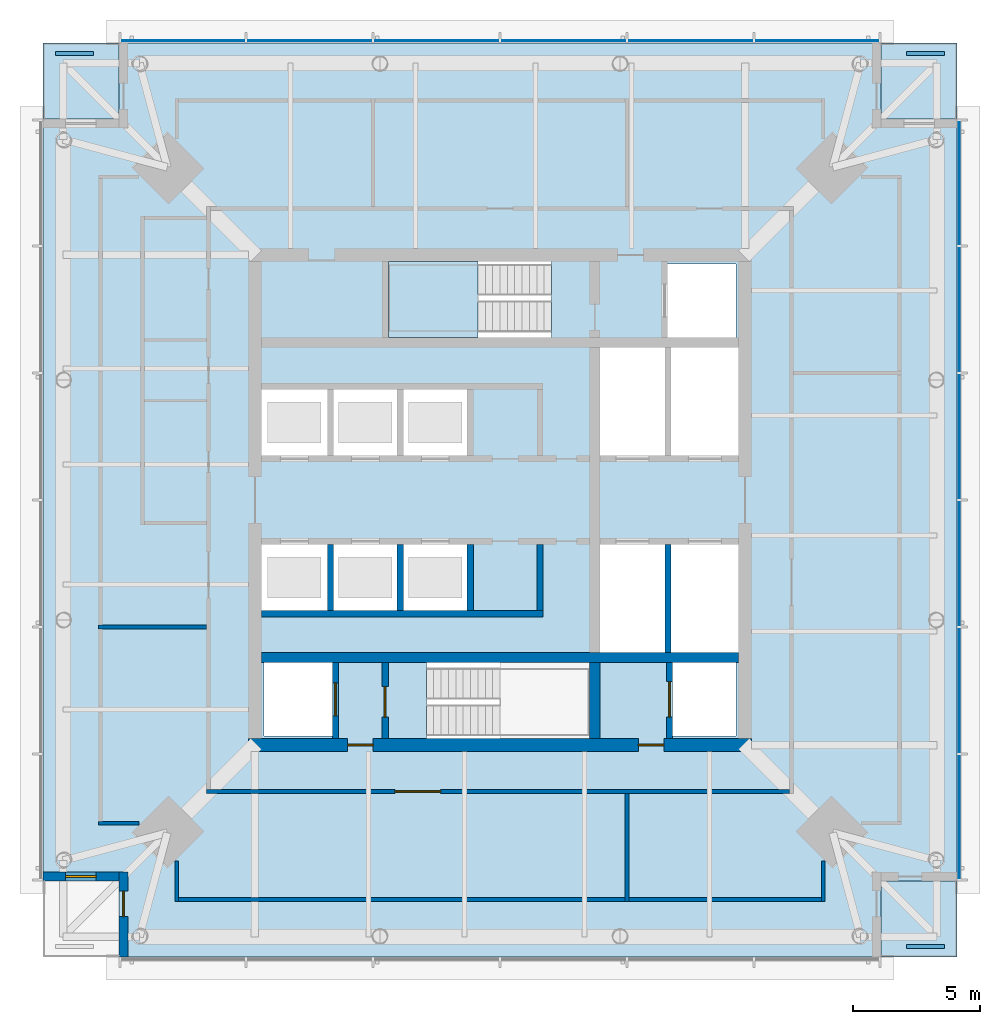
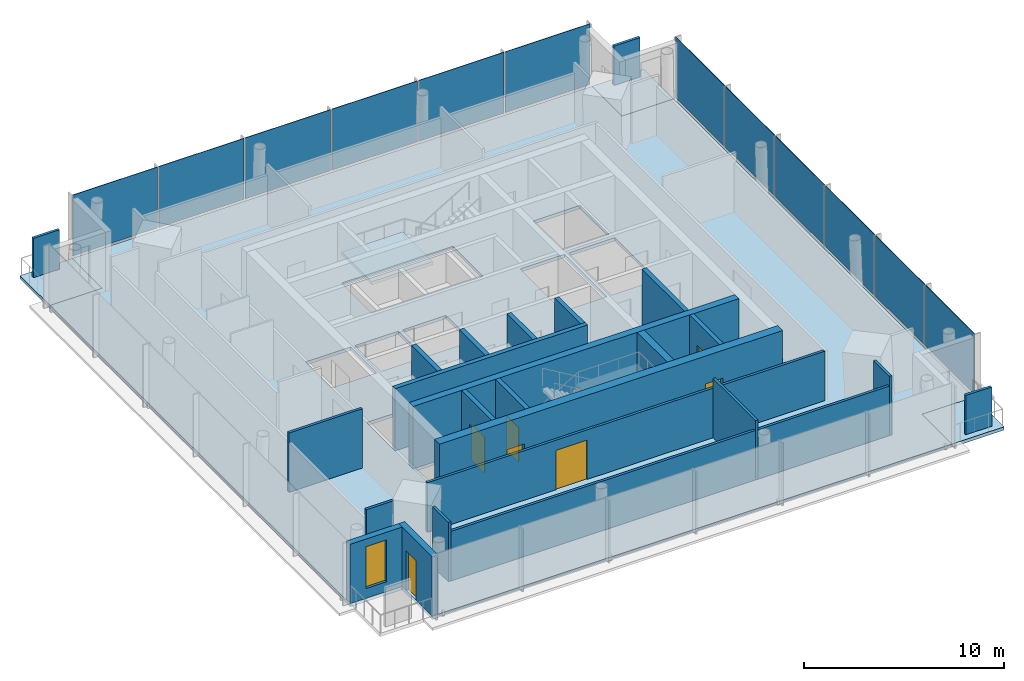
# One storey, part 3 of 10: 21 walls, 15 plates, 7 doors, 5 slabs, 1 window, 8 openings, 3 elements without a shape of their own.
"""IFC4 building model written with IfcOpenShell, lengths in metres."""

from ifc_helpers import new_model, si_unit, direction, frame, frame_2d, origin, origin_2d, place, context, subcontext, project, spatial, polyline, rectangle, outline, extrude, material, layer, layer_set, type_object, element, fill, aggregate, save


model = new_model("IFC4")

# Units and contexts
model_context = context("Model", 3, precision=1e-05, world=origin(), true_north=direction((0.0, 1.0)))
body_context = subcontext(model_context, "Body", "Model", "MODEL_VIEW")
ifc_project = project(units=[si_unit("LENGTHUNIT", "METRE"), si_unit("AREAUNIT", "SQUARE_METRE"), si_unit("VOLUMEUNIT", "CUBIC_METRE"), si_unit("PLANEANGLEUNIT", "RADIAN"), si_unit("MASSUNIT", "GRAM", prefix="KILO")], contexts=[model_context])

# Site, building, storey
site_placement = place(None, origin())
site = spatial("IfcSite", under=ifc_project, at=site_placement, CompositionType="ELEMENT")
building_placement = place(site_placement, origin())
building = spatial("IfcBuilding", under=site, at=building_placement, Name="Ostroluk Exchange", CompositionType="ELEMENT")
storey_placement = place(building_placement, frame((0.0, 0.0, 233.800048828125)))
storey = spatial("IfcBuildingStorey", under=building, at=storey_placement, Name="L60", CompositionType="ELEMENT", Elevation=233.800048828125)

# Slabs
ifc_material_1 = material(Name="Concrete C35/45", Category="concrete")
ifc_layer_1 = layer(ifc_material_1, 0.199951171875)
ifc_layer_set_1 = layer_set([ifc_layer_1], Name="Balcony slab 200")
slab_type_1 = type_object("IfcSlabType", Name="Balcony slab 200", PredefinedType="USERDEFINED", material=ifc_layer_set_1)
slab_1_placement = place(storey_placement, frame((0.0, 0.0, -0.199951171875)))
element("IfcSlab", 1, at=slab_1_placement, inside=storey, type_object=slab_type_1, Name="Office tower SE corner balcony L60", ObjectType="BALCONY", PredefinedType="USERDEFINED", context=body_context, shape_type="SweptSolid", body=[
    extrude(outline(polyline([(60.0, 28.0), (63.0, 28.0), (63.0, 31.0), (60.0, 31.0), (60.0, 28.0)])), origin(), (0.0, 0.0, 1.0), 0.199951171875),
])
slab_2_placement = place(storey_placement, frame((0.0, 0.0, -0.199951171875)))
element("IfcSlab", 2, at=slab_2_placement, inside=storey, type_object=slab_type_1, Name="Office tower NE corner balcony L60", ObjectType="BALCONY", PredefinedType="USERDEFINED", context=body_context, shape_type="SweptSolid", body=[
    extrude(outline(polyline([(60.0, 61.0), (63.0, 61.0), (63.0, 64.0), (60.0, 64.0), (60.0, 61.0)])), origin(), (0.0, 0.0, 1.0), 0.199951171875),
])
slab_3_placement = place(storey_placement, frame((0.0, 0.0, -0.199951171875)))
element("IfcSlab", 3, at=slab_3_placement, inside=storey, type_object=slab_type_1, Name="Office tower NW corner balcony L60", ObjectType="BALCONY", PredefinedType="USERDEFINED", context=body_context, shape_type="SweptSolid", body=[
    extrude(outline(polyline([(27.0, 61.0), (30.0, 61.0), (30.0, 64.0), (27.0, 64.0), (27.0, 61.0)])), origin(), (0.0, 0.0, 1.0), 0.199951171875),
])

# Curtain wall, plates
ifc_material_2 = material(Name="Laminated clear glass", Category="glass")
curtain_wall_type = type_object("IfcCurtainWallType", Name="Office tower plant and sky lobby facade", PredefinedType="USERDEFINED", material=ifc_material_2)
curtain_wall_1_placement = place(storey_placement, origin())
curtain_wall_1 = element("IfcCurtainWall", 4, at=curtain_wall_1_placement, inside=storey, type_object=curtain_wall_type, Name="Office tower east facade L60", ObjectType="LOUVRED CURTAIN WALL", PredefinedType="USERDEFINED")
ifc_material_3 = material(Name="Laminated clear glass", Category="glass")
ifc_layer_2 = layer(ifc_material_3, 0.035888671875)
ifc_layer_set_2 = layer_set([ifc_layer_2], Name="Double laminated clear glazing 36")
plate_type_1 = type_object("IfcPlateType", Name="Double laminated clear glazing 36", PredefinedType="CURTAIN_PANEL", material=ifc_layer_set_2)
plate_1_placement = place(storey_placement, frame((63.074951171875, 33.52001953125, 0.080078125), z_axis=(0.0, 0.0, 1.0), x_axis=(0.0, 1.0, 0.0)))
plate_1 = element("IfcPlate", 5, at=plate_1_placement, type_object=plate_type_1, Name="CW-P1 panel 1.1", PredefinedType="CURTAIN_PANEL", context=body_context, shape_type="SweptSolid", body=[
    extrude(rectangle(XDim=4.8798828125, YDim=0.035888671875, at=origin_2d()), origin(), (0.0, 0.0, 1.0), 3.719970703125),
])
plate_2_placement = place(storey_placement, frame((63.074951171875, 38.5, 0.080078125), z_axis=(0.0, 0.0, 1.0), x_axis=(0.0, 1.0, 0.0)))
plate_2 = element("IfcPlate", 6, at=plate_2_placement, type_object=plate_type_1, Name="CW-P1 panel 2.1", PredefinedType="CURTAIN_PANEL", context=body_context, shape_type="SweptSolid", body=[
    extrude(rectangle(XDim=4.919921875, YDim=0.035888671875, at=origin_2d()), origin(), (0.0, 0.0, 1.0), 3.719970703125),
])
plate_3_placement = place(storey_placement, frame((63.074951171875, 43.5, 0.080078125), z_axis=(0.0, 0.0, 1.0), x_axis=(0.0, 1.0, 0.0)))
plate_3 = element("IfcPlate", 7, at=plate_3_placement, type_object=plate_type_1, Name="CW-P1 panel 3.1", PredefinedType="CURTAIN_PANEL", context=body_context, shape_type="SweptSolid", body=[
    extrude(rectangle(XDim=4.919921875, YDim=0.035888671875, at=origin_2d()), origin(), (0.0, 0.0, 1.0), 3.719970703125),
])
plate_4_placement = place(storey_placement, frame((63.074951171875, 48.5, 0.080078125), z_axis=(0.0, 0.0, 1.0), x_axis=(0.0, 1.0, 0.0)))
plate_4 = element("IfcPlate", 8, at=plate_4_placement, type_object=plate_type_1, Name="CW-P1 panel 4.1", PredefinedType="CURTAIN_PANEL", context=body_context, shape_type="SweptSolid", body=[
    extrude(rectangle(XDim=4.919921875, YDim=0.035888671875, at=origin_2d()), origin(), (0.0, 0.0, 1.0), 3.719970703125),
])
plate_5_placement = place(storey_placement, frame((63.074951171875, 53.5, 0.080078125), z_axis=(0.0, 0.0, 1.0), x_axis=(0.0, 1.0, 0.0)))
plate_5 = element("IfcPlate", 9, at=plate_5_placement, type_object=plate_type_1, Name="CW-P1 panel 5.1", PredefinedType="CURTAIN_PANEL", context=body_context, shape_type="SweptSolid", body=[
    extrude(rectangle(XDim=4.919921875, YDim=0.035888671875, at=origin_2d()), origin(), (0.0, 0.0, 1.0), 3.719970703125),
])
plate_6_placement = place(storey_placement, frame((63.074951171875, 58.47998046875, 0.080078125), z_axis=(0.0, 0.0, 1.0), x_axis=(0.0, 1.0, 0.0)))
plate_6 = element("IfcPlate", 10, at=plate_6_placement, type_object=plate_type_1, Name="CW-P1 panel 6.1", PredefinedType="CURTAIN_PANEL", context=body_context, shape_type="SweptSolid", body=[
    extrude(rectangle(XDim=4.8798828125, YDim=0.035888671875, at=origin_2d()), origin(), (0.0, 0.0, 1.0), 3.719970703125),
])
aggregate(curtain_wall_1, [plate_1, plate_2, plate_3, plate_4, plate_5, plate_6])

curtain_wall_2_placement = place(storey_placement, origin())
curtain_wall_2 = element("IfcCurtainWall", 11, at=curtain_wall_2_placement, inside=storey, type_object=curtain_wall_type, Name="Office tower north facade L60", ObjectType="LOUVRED CURTAIN WALL", PredefinedType="USERDEFINED")
plate_7_placement = place(storey_placement, frame((57.47998046875, 64.074951171875, 0.080078125), z_axis=(0.0, 0.0, 1.0), x_axis=(-1.0, 0.0, 0.0)))
plate_7 = element("IfcPlate", 12, at=plate_7_placement, type_object=plate_type_1, Name="CW-P1 panel 1.1", PredefinedType="CURTAIN_PANEL", context=body_context, shape_type="SweptSolid", body=[
    extrude(rectangle(XDim=4.8798828125, YDim=0.035888671875, at=origin_2d()), origin(), (0.0, 0.0, 1.0), 3.719970703125),
])
plate_8_placement = place(storey_placement, frame((52.5, 64.074951171875, 0.080078125), z_axis=(0.0, 0.0, 1.0), x_axis=(-1.0, 0.0, 0.0)))
plate_8 = element("IfcPlate", 13, at=plate_8_placement, type_object=plate_type_1, Name="CW-P1 panel 2.1", PredefinedType="CURTAIN_PANEL", context=body_context, shape_type="SweptSolid", body=[
    extrude(rectangle(XDim=4.919921875, YDim=0.035888671875, at=origin_2d()), origin(), (0.0, 0.0, 1.0), 3.719970703125),
])
plate_9_placement = place(storey_placement, frame((47.5, 64.074951171875, 0.080078125), z_axis=(0.0, 0.0, 1.0), x_axis=(-1.0, 0.0, 0.0)))
plate_9 = element("IfcPlate", 14, at=plate_9_placement, type_object=plate_type_1, Name="CW-P1 panel 3.1", PredefinedType="CURTAIN_PANEL", context=body_context, shape_type="SweptSolid", body=[
    extrude(rectangle(XDim=4.919921875, YDim=0.035888671875, at=origin_2d()), origin(), (0.0, 0.0, 1.0), 3.719970703125),
])
plate_10_placement = place(storey_placement, frame((42.5, 64.074951171875, 0.080078125), z_axis=(0.0, 0.0, 1.0), x_axis=(-1.0, 0.0, 0.0)))
plate_10 = element("IfcPlate", 15, at=plate_10_placement, type_object=plate_type_1, Name="CW-P1 panel 4.1", PredefinedType="CURTAIN_PANEL", context=body_context, shape_type="SweptSolid", body=[
    extrude(rectangle(XDim=4.919921875, YDim=0.035888671875, at=origin_2d()), origin(), (0.0, 0.0, 1.0), 3.719970703125),
])
plate_11_placement = place(storey_placement, frame((37.5, 64.074951171875, 0.080078125), z_axis=(0.0, 0.0, 1.0), x_axis=(-1.0, 0.0, 0.0)))
plate_11 = element("IfcPlate", 16, at=plate_11_placement, type_object=plate_type_1, Name="CW-P1 panel 5.1", PredefinedType="CURTAIN_PANEL", context=body_context, shape_type="SweptSolid", body=[
    extrude(rectangle(XDim=4.919921875, YDim=0.035888671875, at=origin_2d()), origin(), (0.0, 0.0, 1.0), 3.719970703125),
])
plate_12_placement = place(storey_placement, frame((32.52001953125, 64.074951171875, 0.080078125), z_axis=(0.0, 0.0, 1.0), x_axis=(-1.0, 0.0, 0.0)))
plate_12 = element("IfcPlate", 17, at=plate_12_placement, type_object=plate_type_1, Name="CW-P1 panel 6.1", PredefinedType="CURTAIN_PANEL", context=body_context, shape_type="SweptSolid", body=[
    extrude(rectangle(XDim=4.8798828125, YDim=0.035888671875, at=origin_2d()), origin(), (0.0, 0.0, 1.0), 3.719970703125),
])
aggregate(curtain_wall_2, [plate_7, plate_8, plate_9, plate_10, plate_11, plate_12])

# Plates
ifc_material_4 = material(Name="Steel S355 trellis with planting", Category="steel")
ifc_layer_3 = layer(ifc_material_4, 0.14990234375)
ifc_layer_set_3 = layer_set([ifc_layer_3], Name="Planted screen 150")
plate_type_2 = type_object("IfcPlateType", Name="Planted screen 150", PredefinedType="USERDEFINED", material=ifc_layer_set_3)
for number, where, z_axis, x_axis, name in (
    (18, (61.75, 28.425048828125, 0.0), (0.0, 0.0, 1.0), (1.0, 0.0, 0.0), "Office tower SE planted screen L60"),
    (19, (61.75, 63.574951171875, 0.0), (0.0, 0.0, 1.0), (1.0, 0.0, 0.0), "Office tower NE planted screen L60"),
    (20, (28.25, 63.574951171875, 0.0), (0.0, 0.0, 1.0), (1.0, 0.0, 0.0), "Office tower NW planted screen L60"),
):
    element("IfcPlate", number, at=place(storey_placement, frame(where, z_axis=z_axis, x_axis=x_axis)), inside=storey, type_object=plate_type_2, Name=name, ObjectType="PLANTED SCREEN", PredefinedType="USERDEFINED", context=body_context, shape_type="SweptSolid", body=[
        extrude(rectangle(XDim=1.5, YDim=0.14990234375, at=origin_2d()), origin(), (0.0, 0.0, 1.0), 2.39990234375),
    ])

# Stair, slab
ifc_material_5 = material(Name="Concrete C30/37", Category="concrete")
stair_type = type_object("IfcStairType", Name="Exit stair half turn 3800", PredefinedType="HALF_TURN_STAIR", material=ifc_material_5)
stair_placement = place(storey_placement, origin())
stair = element("IfcStair", 21, at=stair_placement, inside=storey, type_object=stair_type, Name="Stair T1-S2 L60", PredefinedType="HALF_TURN_STAIR")
ifc_material_6 = material(Name="Concrete C30/37", Category="concrete")
ifc_layer_4 = layer(ifc_material_6, 0.199951171875)
ifc_layer_set_4 = layer_set([ifc_layer_4], Name="Stair landing 200")
slab_type_2 = type_object("IfcSlabType", Name="Stair landing 200", PredefinedType="LANDING", material=ifc_layer_set_4)
slab_4_placement = place(storey_placement, frame((0.0, 0.0, 1.699951171875)))
slab_4 = element("IfcSlab", 22, at=slab_4_placement, type_object=slab_type_2, Name="T1-S2 landing 1", PredefinedType="LANDING", context=body_context, shape_type="SweptSolid", body=[
    extrude(outline(polyline([(44.1298828125, 52.39990234375), (44.1298828125, 55.39990234375), (40.60009765625, 55.39990234375), (40.60009765625, 52.39990234375), (44.1298828125, 52.39990234375)])), origin(), (0.0, 0.0, 1.0), 0.199951171875),
])
aggregate(stair, [slab_4])

# Slab
ifc_material_7 = material(Name="Concrete C35/45", Category="concrete")
ifc_layer_5 = layer(ifc_material_7, 0.199951171875)
ifc_layer_set_5 = layer_set([ifc_layer_5], Name="Tower floor slab 200")
slab_type_3 = type_object("IfcSlabType", Name="Tower floor slab 200", PredefinedType="FLOOR", material=ifc_layer_set_5)
slab_5_placement = place(storey_placement, frame((0.0, 0.0, -0.199951171875)))
element("IfcSlab", 23, at=slab_5_placement, inside=storey, type_object=slab_type_3, Name="Office tower floor slab L60", PredefinedType="FLOOR", context=body_context, shape_type="SweptSolid", body=[
    extrude(outline(polyline([(30.0, 28.0), (60.0, 28.0), (60.0, 31.0), (63.0, 31.0), (63.0, 61.0), (60.0, 61.0), (60.0, 64.0), (30.0, 64.0), (30.0, 61.0), (27.0, 61.0), (27.0, 31.0), (30.0, 31.0), (30.0, 28.0)]), holes=[polyline([(35.699951171875, 36.699951171875), (38.39990234375, 36.699951171875), (38.39990234375, 39.60009765625), (35.699951171875, 39.60009765625), (35.699951171875, 36.699951171875)]), polyline([(42.110107421875, 36.60009765625), (48.530029296875, 36.60009765625), (48.530029296875, 39.60009765625), (42.110107421875, 39.60009765625), (42.110107421875, 36.60009765625)]), polyline([(51.800048828125, 36.699951171875), (54.300048828125, 36.699951171875), (54.300048828125, 39.60009765625), (51.800048828125, 39.60009765625), (51.800048828125, 36.699951171875)]), polyline([(40.60009765625, 52.39990234375), (47.02001953125, 52.39990234375), (47.02001953125, 55.39990234375), (40.60009765625, 55.39990234375), (40.60009765625, 52.39990234375)]), polyline([(51.60009765625, 52.39990234375), (54.300048828125, 52.39990234375), (54.300048828125, 55.300048828125), (51.60009765625, 55.300048828125), (51.60009765625, 52.39990234375)]), polyline([(35.60009765625, 47.75), (38.199951171875, 47.75), (38.199951171875, 50.35009765625), (35.60009765625, 50.35009765625), (35.60009765625, 47.75)]), polyline([(38.449951171875, 47.75), (40.949951171875, 47.75), (40.949951171875, 50.35009765625), (38.449951171875, 50.35009765625), (38.449951171875, 47.75)]), polyline([(41.199951171875, 47.75), (43.699951171875, 47.75), (43.699951171875, 50.35009765625), (41.199951171875, 50.35009765625), (41.199951171875, 47.75)]), polyline([(35.60009765625, 41.64990234375), (38.199951171875, 41.64990234375), (38.199951171875, 44.25), (35.60009765625, 44.25), (35.60009765625, 41.64990234375)]), polyline([(38.449951171875, 41.64990234375), (40.949951171875, 41.64990234375), (40.949951171875, 44.25), (38.449951171875, 44.25), (38.449951171875, 41.64990234375)]), polyline([(41.199951171875, 41.64990234375), (43.699951171875, 41.64990234375), (43.699951171875, 44.25), (41.199951171875, 44.25), (41.199951171875, 41.64990234375)]), polyline([(48.929931640625, 47.75), (51.489990234375, 47.75), (51.489990234375, 52.0), (48.929931640625, 52.0), (48.929931640625, 47.75)]), polyline([(51.739990234375, 47.75), (54.39990234375, 47.75), (54.39990234375, 52.0), (51.739990234375, 52.0), (51.739990234375, 47.75)]), polyline([(48.929931640625, 40.0), (51.489990234375, 40.0), (51.489990234375, 44.25), (48.929931640625, 44.25), (48.929931640625, 40.0)]), polyline([(51.739990234375, 40.0), (54.39990234375, 40.0), (54.39990234375, 44.25), (51.739990234375, 44.25), (51.739990234375, 40.0)])]), origin(), (0.0, 0.0, 1.0), 0.199951171875),
])

# Walls
ifc_material_8 = material(Name="Concrete C50/60", Category="concrete")
ifc_layer_6 = layer(ifc_material_8, 0.39990234375)
ifc_layer_set_6 = layer_set([ifc_layer_6], Name="Core cross wall 400 C50/60")
wall_type_1 = type_object("IfcWallType", Name="Core cross wall 400 C50/60", PredefinedType="SHEAR", material=ifc_layer_set_6)
wall_1_placement = place(storey_placement, frame((35.60009765625, 39.800048828125, 0.0), z_axis=(0.0, 0.0, 1.0), x_axis=(1.0, 0.0, 0.0)))
element("IfcWall", 24, at=wall_1_placement, inside=storey, type_object=wall_type_1, Name="T1 core wall XS", PredefinedType="SHEAR", context=body_context, shape_type="SweptSolid", body=[
    extrude(rectangle(XDim=18.7998046875, YDim=0.39990234375, at=frame_2d((9.39990234375, 0.0))), origin(), (0.0, 0.0, 1.0), 3.800048828125),
])
wall_2_placement = place(storey_placement, frame((48.72998046875, 36.60009765625, 0.0), z_axis=(0.0, 0.0, 1.0), x_axis=(0.0, 1.0, 0.0)))
element("IfcWall", 25, at=wall_2_placement, inside=storey, type_object=wall_type_1, Name="T1 core wall YE1", PredefinedType="SHEAR", context=body_context, shape_type="SweptSolid", body=[
    extrude(rectangle(XDim=3.0, YDim=0.39990234375, at=frame_2d((1.5, 0.0))), origin(), (0.0, 0.0, 1.0), 3.800048828125),
])

# Wall, opening, door
ifc_material_9 = material(Name="Concrete C40/50", Category="concrete")
ifc_layer_7 = layer(ifc_material_9, 0.25)
ifc_layer_set_7 = layer_set([ifc_layer_7], Name="Core shaft wall 250")
wall_type_2 = type_object("IfcWallType", Name="Core shaft wall 250", PredefinedType="SHEAR", material=ifc_layer_set_7)
wall_3_placement = place(storey_placement, frame((38.52490234375, 36.60009765625, 0.0), z_axis=(0.0, 0.0, 1.0), x_axis=(0.0, 1.0, 0.0)))
wall_3 = element("IfcWall", 26, at=wall_3_placement, inside=storey, type_object=wall_type_2, Name="Firefighting lift shaft wall", PredefinedType="SHEAR", context=body_context, shape_type="SweptSolid", body=[
    extrude(rectangle(XDim=3.0, YDim=0.25, at=frame_2d((1.5, 0.0))), origin(), (0.0, 0.0, 1.0), 3.800048828125),
])
opening_1_placement = place(wall_3_placement, frame((0.89990234375, 0.0, 0.0)))
opening_1 = element("IfcOpeningElement", 27, at=opening_1_placement, cuts=wall_3, Name="Opening LD2", PredefinedType="OPENING", context=body_context, shape_type="SweptSolid", body=[
    extrude(rectangle(XDim=1.300048828125, YDim=2.199951171875, at=frame_2d((0.64990234375, 1.10009765625))), frame((0.0, 0.135009765625, 0.0), z_axis=(0.0, -1.0, 0.0), x_axis=(1.0, 0.0, 0.0)), (0.0, 0.0, 1.0), 0.27001953125),
])
ifc_material_10 = material(Name="Stainless steel", Category="steel")
door_type_1 = type_object("IfcDoorType", Name="Lift landing door E 60 1300 x 2200", OperationType="DOUBLE_DOOR_SLIDING", PredefinedType="DOOR", material=ifc_material_10)
door_1_placement = place(opening_1_placement, origin())
door_1 = element("IfcDoor", 28, at=door_1_placement, inside=storey, type_object=door_type_1, Name="Lift FL1 landing door", OperationType="DOUBLE_DOOR_SLIDING", OverallHeight=2.199951171875, OverallWidth=1.300048828125, PredefinedType="DOOR", context=body_context, shape_type="SweptSolid", body=[
    extrude(rectangle(XDim=1.300048828125, YDim=2.199951171875, at=frame_2d((0.64990234375, 1.10009765625))), frame((0.0, 0.02490234375, 0.0), z_axis=(0.0, -1.0, 0.0), x_axis=(1.0, 0.0, 0.0)), (0.0, 0.0, 1.0), 0.050048828125),
])
fill(opening_1, door_1)

wall_4_placement = place(storey_placement, frame((40.47509765625, 36.60009765625, 0.0), z_axis=(0.0, 0.0, 1.0), x_axis=(0.0, 1.0, 0.0)))
wall_4 = element("IfcWall", 29, at=wall_4_placement, inside=storey, type_object=wall_type_2, Name="Stair shaft wall", PredefinedType="SHEAR", context=body_context, shape_type="SweptSolid", body=[
    extrude(rectangle(XDim=3.0, YDim=0.25, at=frame_2d((1.5, 0.0))), origin(), (0.0, 0.0, 1.0), 3.800048828125),
])
opening_2_placement = place(wall_4_placement, frame((0.85009765625, 0.0, 0.0)))
opening_2 = element("IfcOpeningElement", 30, at=opening_2_placement, cuts=wall_4, Name="Opening FD60S", PredefinedType="OPENING", context=body_context, shape_type="SweptSolid", body=[
    extrude(rectangle(XDim=1.199951171875, YDim=2.10009765625, at=frame_2d((0.60009765625, 1.050048828125))), frame((0.0, 0.135009765625, 0.0), z_axis=(0.0, -1.0, 0.0), x_axis=(1.0, 0.0, 0.0)), (0.0, 0.0, 1.0), 0.27001953125),
])
ifc_material_11 = material(Name="Steel", Category="steel")
door_type_2 = type_object("IfcDoorType", Name="Stair door EI 60 1200 x 2100", OperationType="SINGLE_SWING_LEFT", PredefinedType="DOOR", material=ifc_material_11)
door_2_placement = place(opening_2_placement, origin())
door_2 = element("IfcDoor", 31, at=door_2_placement, inside=storey, type_object=door_type_2, Name="Stair T1-S1 door", OperationType="SINGLE_SWING_LEFT", OverallHeight=2.10009765625, OverallWidth=1.199951171875, PredefinedType="DOOR", context=body_context, shape_type="SweptSolid", body=[
    extrude(rectangle(XDim=1.199951171875, YDim=2.10009765625, at=frame_2d((0.60009765625, 1.050048828125))), frame((0.0, 0.02490234375, 0.0), z_axis=(0.0, -1.0, 0.0), x_axis=(1.0, 0.0, 0.0)), (0.0, 0.0, 1.0), 0.050048828125),
])
fill(opening_2, door_2)

wall_5_placement = place(storey_placement, frame((51.675048828125, 36.60009765625, 0.0), z_axis=(0.0, 0.0, 1.0), x_axis=(0.0, 1.0, 0.0)))
wall_5 = element("IfcWall", 32, at=wall_5_placement, inside=storey, type_object=wall_type_2, Name="Service lift shaft wall", PredefinedType="SHEAR", context=body_context, shape_type="SweptSolid", body=[
    extrude(rectangle(XDim=3.0, YDim=0.25, at=frame_2d((1.5, 0.0))), origin(), (0.0, 0.0, 1.0), 3.800048828125),
])
opening_3_placement = place(wall_5_placement, frame((0.85009765625, 0.0, 0.0)))
opening_3 = element("IfcOpeningElement", 33, at=opening_3_placement, cuts=wall_5, Name="Opening LD3", PredefinedType="OPENING", context=body_context, shape_type="SweptSolid", body=[
    extrude(rectangle(XDim=1.39990234375, YDim=2.39990234375, at=frame_2d((0.699951171875, 1.199951171875))), frame((0.0, 0.135009765625, 0.0), z_axis=(0.0, -1.0, 0.0), x_axis=(1.0, 0.0, 0.0)), (0.0, 0.0, 1.0), 0.27001953125),
])
ifc_material_12 = material(Name="Stainless steel", Category="steel")
door_type_3 = type_object("IfcDoorType", Name="Goods lift landing door E 60 1400 x 2400", OperationType="DOUBLE_DOOR_SLIDING", PredefinedType="DOOR", material=ifc_material_12)
door_3_placement = place(opening_3_placement, origin())
door_3 = element("IfcDoor", 34, at=door_3_placement, inside=storey, type_object=door_type_3, Name="Lift SL1 landing door", OperationType="DOUBLE_DOOR_SLIDING", OverallHeight=2.39990234375, OverallWidth=1.39990234375, PredefinedType="DOOR", context=body_context, shape_type="SweptSolid", body=[
    extrude(rectangle(XDim=1.39990234375, YDim=2.39990234375, at=frame_2d((0.699951171875, 1.199951171875))), frame((0.0, 0.02490234375, 0.0), z_axis=(0.0, -1.0, 0.0), x_axis=(1.0, 0.0, 0.0)), (0.0, 0.0, 1.0), 0.050048828125),
])
fill(opening_3, door_3)

# Walls
for number, where, z_axis, x_axis, name in (
    (35, (38.324951171875, 44.25, 0.0), (0.0, 0.0, 1.0), (0.0, -1.0, 0.0), "Lift shaft wall"),
    (36, (41.074951171875, 44.25, 0.0), (0.0, 0.0, 1.0), (0.0, -1.0, 0.0), "Lift shaft wall"),
    (37, (43.824951171875, 44.25, 0.0), (0.0, 0.0, 1.0), (0.0, -1.0, 0.0), "Lift shaft wall"),
    (38, (46.574951171875, 44.25, 0.0), (0.0, 0.0, 1.0), (0.0, -1.0, 0.0), "Lift shaft wall"),
):
    element("IfcWall", number, at=place(storey_placement, frame(where, z_axis=z_axis, x_axis=x_axis)), inside=storey, type_object=wall_type_2, Name=name, PredefinedType="SHEAR", context=body_context, shape_type="SweptSolid", body=[
        extrude(rectangle(XDim=2.60009765625, YDim=0.25, at=frame_2d((1.300048828125, 0.0))), origin(), (0.0, 0.0, 1.0), 3.800048828125),
    ])
wall_6_placement = place(storey_placement, frame((35.60009765625, 41.52490234375, 0.0), z_axis=(0.0, 0.0, 1.0), x_axis=(1.0, 0.0, 0.0)))
element("IfcWall", 39, at=wall_6_placement, inside=storey, type_object=wall_type_2, Name="Lift shaft wall", PredefinedType="SHEAR", context=body_context, shape_type="SweptSolid", body=[
    extrude(rectangle(XDim=11.099853515625, YDim=0.25, at=frame_2d((5.5498046875, 0.0))), origin(), (0.0, 0.0, 1.0), 3.800048828125),
])
wall_7_placement = place(storey_placement, frame((51.614990234375, 44.25, 0.0), z_axis=(0.0, 0.0, 1.0), x_axis=(0.0, -1.0, 0.0)))
element("IfcWall", 40, at=wall_7_placement, inside=storey, type_object=wall_type_2, Name="Lift shaft wall", PredefinedType="SHEAR", context=body_context, shape_type="SweptSolid", body=[
    extrude(rectangle(XDim=4.25, YDim=0.25, at=frame_2d((2.125, 0.0))), origin(), (0.0, 0.0, 1.0), 3.800048828125),
])

# Wall, openings, doors
ifc_material_13 = material(Name="Concrete C50/60", Category="concrete")
ifc_layer_8 = layer(ifc_material_13, 0.5)
ifc_layer_set_8 = layer_set([ifc_layer_8], Name="Core wall 500 C50/60")
wall_type_3 = type_object("IfcWallType", Name="Core wall 500 C50/60", PredefinedType="SHEAR", material=ifc_layer_set_8)
wall_8_placement = place(storey_placement, frame((35.10009765625, 36.35009765625, 0.0), z_axis=(0.0, 0.0, 1.0), x_axis=(1.0, 0.0, 0.0)))
wall_8 = element("IfcWall", 41, at=wall_8_placement, inside=storey, type_object=wall_type_3, Name="T1 core wall S", PredefinedType="SHEAR", context=body_context, shape_type="SweptSolid", body=[
    extrude(rectangle(XDim=19.7998046875, YDim=0.5, at=frame_2d((9.89990234375, 0.0))), origin(), (0.0, 0.0, 1.0), 3.800048828125),
])
opening_4_placement = place(wall_8_placement, frame((3.89990234375, 0.0, 0.0)))
opening_4 = element("IfcOpeningElement", 42, at=opening_4_placement, cuts=wall_8, Name="Opening FD60", PredefinedType="OPENING", context=body_context, shape_type="SweptSolid", body=[
    extrude(rectangle(XDim=1.0, YDim=2.10009765625, at=frame_2d((0.5, 1.050048828125))), frame((0.0, 0.260009765625, 0.0), z_axis=(0.0, -1.0, 0.0), x_axis=(1.0, 0.0, 0.0)), (0.0, 0.0, 1.0), 0.52001953125),
])
opening_5_placement = place(wall_8_placement, frame((15.35009765625, 0.0, 0.0)))
opening_5 = element("IfcOpeningElement", 43, at=opening_5_placement, cuts=wall_8, Name="Opening FD60", PredefinedType="OPENING", context=body_context, shape_type="SweptSolid", body=[
    extrude(rectangle(XDim=1.0, YDim=2.10009765625, at=frame_2d((0.5, 1.050048828125))), frame((0.0, 0.260009765625, 0.0), z_axis=(0.0, -1.0, 0.0), x_axis=(1.0, 0.0, 0.0)), (0.0, 0.0, 1.0), 0.52001953125),
])
ifc_material_14 = material(Name="Steel", Category="steel")
door_type_4 = type_object("IfcDoorType", Name="Fire door EI 60 1000 x 2100", OperationType="SINGLE_SWING_LEFT", PredefinedType="DOOR", material=ifc_material_14)
door_4_placement = place(opening_4_placement, origin())
door_4 = element("IfcDoor", 44, at=door_4_placement, inside=storey, type_object=door_type_4, Name="Firefighting lobby door", OperationType="SINGLE_SWING_LEFT", OverallHeight=2.10009765625, OverallWidth=1.0, PredefinedType="DOOR", context=body_context, shape_type="SweptSolid", body=[
    extrude(rectangle(XDim=1.0, YDim=2.10009765625, at=frame_2d((0.5, 1.050048828125))), frame((0.0, 0.02490234375, 0.0), z_axis=(0.0, -1.0, 0.0), x_axis=(1.0, 0.0, 0.0)), (0.0, 0.0, 1.0), 0.050048828125),
])
fill(opening_4, door_4)
door_5_placement = place(opening_5_placement, origin())
door_5 = element("IfcDoor", 45, at=door_5_placement, inside=storey, type_object=door_type_4, Name="Service lobby door", OperationType="SINGLE_SWING_RIGHT", OverallHeight=2.10009765625, OverallWidth=1.0, PredefinedType="DOOR", context=body_context, shape_type="SweptSolid", body=[
    extrude(rectangle(XDim=1.0, YDim=2.10009765625, at=frame_2d((0.5, 1.050048828125))), frame((0.0, 0.02490234375, 0.0), z_axis=(0.0, -1.0, 0.0), x_axis=(1.0, 0.0, 0.0)), (0.0, 0.0, 1.0), 0.050048828125),
])
fill(opening_5, door_5)

# Wall, opening, door
ifc_material_15 = material(Name="Limestone", Category="masonry")
ifc_layer_9 = layer(ifc_material_15, 0.35009765625)
ifc_layer_set_9 = layer_set([ifc_layer_9], Name="Limestone facade wall 350")
wall_type_4 = type_object("IfcWallType", Name="Limestone facade wall 350", PredefinedType="SOLIDWALL", material=ifc_layer_set_9)
wall_9_placement = place(storey_placement, frame((30.175048828125, 28.0, 0.0), z_axis=(0.0, 0.0, 1.0), x_axis=(0.0, 1.0, 0.0)))
wall_9 = element("IfcWall", 46, at=wall_9_placement, inside=storey, type_object=wall_type_4, Name="Office tower SW corner wall L60 a", PredefinedType="SOLIDWALL", context=body_context, shape_type="SweptSolid", body=[
    extrude(rectangle(XDim=3.35009765625, YDim=0.35009765625, at=frame_2d((1.675048828125, 0.0))), origin(), (0.0, 0.0, 1.0), 3.619873046875),
])
opening_6_placement = place(wall_9_placement, frame((1.60009765625, 0.0, 0.0)))
opening_6 = element("IfcOpeningElement", 47, at=opening_6_placement, cuts=wall_9, Name="Opening D-B1", PredefinedType="OPENING", context=body_context, shape_type="SweptSolid", body=[
    extrude(rectangle(XDim=1.0, YDim=2.39990234375, at=frame_2d((0.5, 1.199951171875))), frame((0.0, 0.18505859375, 0.0), z_axis=(0.0, -1.0, 0.0), x_axis=(1.0, 0.0, 0.0)), (0.0, 0.0, 1.0), 0.3701171875),
])
ifc_material_16 = material(Name="Bronze framed glazed door", Category="aluminium")
door_type_5 = type_object("IfcDoorType", Name="Balcony door 1000 x 2400", OperationType="SINGLE_SWING_LEFT", PredefinedType="DOOR", material=ifc_material_16)
door_6_placement = place(opening_6_placement, origin())
door_6 = element("IfcDoor", 48, at=door_6_placement, inside=storey, type_object=door_type_5, Name="Office tower SW balcony door L60", OperationType="SINGLE_SWING_RIGHT", OverallHeight=2.39990234375, OverallWidth=1.0, PredefinedType="DOOR", context=body_context, shape_type="SweptSolid", body=[
    extrude(rectangle(XDim=1.0, YDim=2.39990234375, at=frame_2d((0.5, 1.199951171875))), frame((0.0, 0.02490234375, 0.0), z_axis=(0.0, -1.0, 0.0), x_axis=(1.0, 0.0, 0.0)), (0.0, 0.0, 1.0), 0.050048828125),
])
fill(opening_6, door_6)

# Wall, opening, window
wall_10_placement = place(storey_placement, frame((30.0, 31.175048828125, 0.0), z_axis=(0.0, 0.0, 1.0), x_axis=(-1.0, 0.0, 0.0)))
wall_10 = element("IfcWall", 49, at=wall_10_placement, inside=storey, type_object=wall_type_4, Name="Office tower SW corner wall L60 b", PredefinedType="SOLIDWALL", context=body_context, shape_type="SweptSolid", body=[
    extrude(rectangle(XDim=3.0, YDim=0.35009765625, at=frame_2d((1.5, 0.0))), origin(), (0.0, 0.0, 1.0), 3.619873046875),
])
opening_7_placement = place(wall_10_placement, frame((0.89990234375, 0.0, 0.60009765625)))
opening_7 = element("IfcOpeningElement", 50, at=opening_7_placement, cuts=wall_10, Name="Opening WN-L1", PredefinedType="OPENING", context=body_context, shape_type="SweptSolid", body=[
    extrude(rectangle(XDim=1.199951171875, YDim=2.550048828125, at=frame_2d((0.60009765625, 1.27490234375))), frame((0.0, 0.18505859375, 0.0), z_axis=(0.0, -1.0, 0.0), x_axis=(1.0, 0.0, 0.0)), (0.0, 0.0, 1.0), 0.3701171875),
])
ifc_material_17 = material(Name="Laminated clear glass", Category="glass")
window_type = type_object("IfcWindowType", Name="Lancet window 1200 x 2550", PartitioningType="SINGLE_PANEL", PredefinedType="WINDOW", material=ifc_material_17)
window_placement = place(opening_7_placement, origin())
window = element("IfcWindow", 51, at=window_placement, inside=storey, type_object=window_type, Name="Office tower SW lancet window L60", OverallHeight=2.550048828125, OverallWidth=1.199951171875, PartitioningType="SINGLE_PANEL", PredefinedType="WINDOW", context=body_context, shape_type="SweptSolid", body=[
    extrude(rectangle(XDim=1.199951171875, YDim=2.550048828125, at=frame_2d((0.60009765625, 1.27490234375))), frame((0.0, 0.030029296875, 0.0), z_axis=(0.0, -1.0, 0.0), x_axis=(1.0, 0.0, 0.0)), (0.0, 0.0, 1.0), 0.06005859375),
])
fill(opening_7, window)

# Wall
ifc_material_18 = material(Name="Gypsum plasterboard partition", Category="gypsum")
ifc_layer_10 = layer(ifc_material_18, 0.14990234375)
ifc_layer_set_10 = layer_set([ifc_layer_10], Name="Plasterboard partition 150")
wall_type_5 = type_object("IfcWallType", Name="Plasterboard partition 150", PredefinedType="PARTITIONING", material=ifc_layer_set_10)
wall_11_placement = place(storey_placement, frame((33.449951171875, 41.0, 0.0), z_axis=(0.0, 0.0, 1.0), x_axis=(-1.0, 0.0, 0.0)))
element("IfcWall", 52, at=wall_11_placement, inside=storey, type_object=wall_type_5, Name="Partition", PredefinedType="PARTITIONING", context=body_context, shape_type="SweptSolid", body=[
    extrude(rectangle(XDim=4.25, YDim=0.14990234375, at=frame_2d((2.125, 0.0))), origin(), (0.0, 0.0, 1.0), 3.619873046875),
])

# Wall, opening, door
wall_12_placement = place(storey_placement, frame((33.449951171875, 34.52490234375, 0.0), z_axis=(0.0, 0.0, 1.0), x_axis=(1.0, 0.0, 0.0)))
wall_12 = element("IfcWall", 53, at=wall_12_placement, inside=storey, type_object=wall_type_5, Name="Corridor wall", PredefinedType="PARTITIONING", context=body_context, shape_type="SweptSolid", body=[
    extrude(rectangle(XDim=22.949951171875, YDim=0.14990234375, at=frame_2d((11.47509765625, 0.0))), origin(), (0.0, 0.0, 1.0), 3.02001953125),
])
opening_8_placement = place(wall_12_placement, frame((7.41259765625, 0.0, 0.0)))
opening_8 = element("IfcOpeningElement", 54, at=opening_8_placement, cuts=wall_12, Name="Opening D-04", PredefinedType="OPENING", context=body_context, shape_type="SweptSolid", body=[
    extrude(rectangle(XDim=1.800048828125, YDim=2.39990234375, at=frame_2d((0.89990234375, 1.199951171875))), frame((0.0, 0.0849609375, 0.0), z_axis=(0.0, -1.0, 0.0), x_axis=(1.0, 0.0, 0.0)), (0.0, 0.0, 1.0), 0.169921875),
])
ifc_material_19 = material(Name="Timber", Category="wood")
door_type_6 = type_object("IfcDoorType", Name="Double door 1800 x 2400", OperationType="DOUBLE_DOOR_SINGLE_SWING", PredefinedType="DOOR", material=ifc_material_19)
door_7_placement = place(opening_8_placement, origin())
door_7 = element("IfcDoor", 55, at=door_7_placement, inside=storey, type_object=door_type_6, Name="Transfer lounge door", OperationType="DOUBLE_DOOR_SINGLE_SWING", OverallHeight=2.39990234375, OverallWidth=1.800048828125, PredefinedType="DOOR", context=body_context, shape_type="SweptSolid", body=[
    extrude(rectangle(XDim=1.800048828125, YDim=2.39990234375, at=frame_2d((0.89990234375, 1.199951171875))), frame((0.0, 0.02490234375, 0.0), z_axis=(0.0, -1.0, 0.0), x_axis=(1.0, 0.0, 0.0)), (0.0, 0.0, 1.0), 0.050048828125),
])
fill(opening_8, door_7)

# Walls
wall_13_placement = place(storey_placement, frame((50.0, 34.449951171875, 0.0), z_axis=(0.0, 0.0, 1.0), x_axis=(0.0, -1.0, 0.0)))
element("IfcWall", 56, at=wall_13_placement, inside=storey, type_object=wall_type_5, Name="Partition", PredefinedType="PARTITIONING", context=body_context, shape_type="SweptSolid", body=[
    extrude(rectangle(XDim=4.25, YDim=0.14990234375, at=frame_2d((2.125, 0.0))), origin(), (0.0, 0.0, 1.0), 3.619873046875),
])
for number, where, z_axis, x_axis, name in (
    (57, (32.27490234375, 30.199951171875, 0.0), (0.0, 0.0, 1.0), (0.0, 1.0, 0.0), "Truss zone partition"),
    (58, (30.785888671875, 33.27490234375, 0.0), (0.0, 0.0, 1.0), (-1.0, 0.0, 0.0), "Truss zone partition"),
    (59, (57.72509765625, 31.785888671875, 0.0), (0.0, 0.0, 1.0), (0.0, -1.0, 0.0), "Truss zone partition"),
):
    element("IfcWall", number, at=place(storey_placement, frame(where, z_axis=z_axis, x_axis=x_axis)), inside=storey, type_object=wall_type_5, Name=name, PredefinedType="PARTITIONING", context=body_context, shape_type="SweptSolid", body=[
        extrude(rectangle(XDim=1.5859375, YDim=0.14990234375, at=frame_2d((0.79296875, 0.0))), origin(), (0.0, 0.0, 1.0), 3.619873046875),
    ])
wall_14_placement = place(storey_placement, frame((57.800048828125, 30.27490234375, 0.0), z_axis=(0.0, 0.0, 1.0), x_axis=(-1.0, 0.0, 0.0)))
element("IfcWall", 60, at=wall_14_placement, inside=storey, type_object=wall_type_5, Name="Truss zone partition", PredefinedType="PARTITIONING", context=body_context, shape_type="SweptSolid", body=[
    extrude(rectangle(XDim=25.60009765625, YDim=0.14990234375, at=frame_2d((12.800048828125, 0.0))), origin(), (0.0, 0.0, 1.0), 3.02001953125),
])

save(model, "model.ifc")
